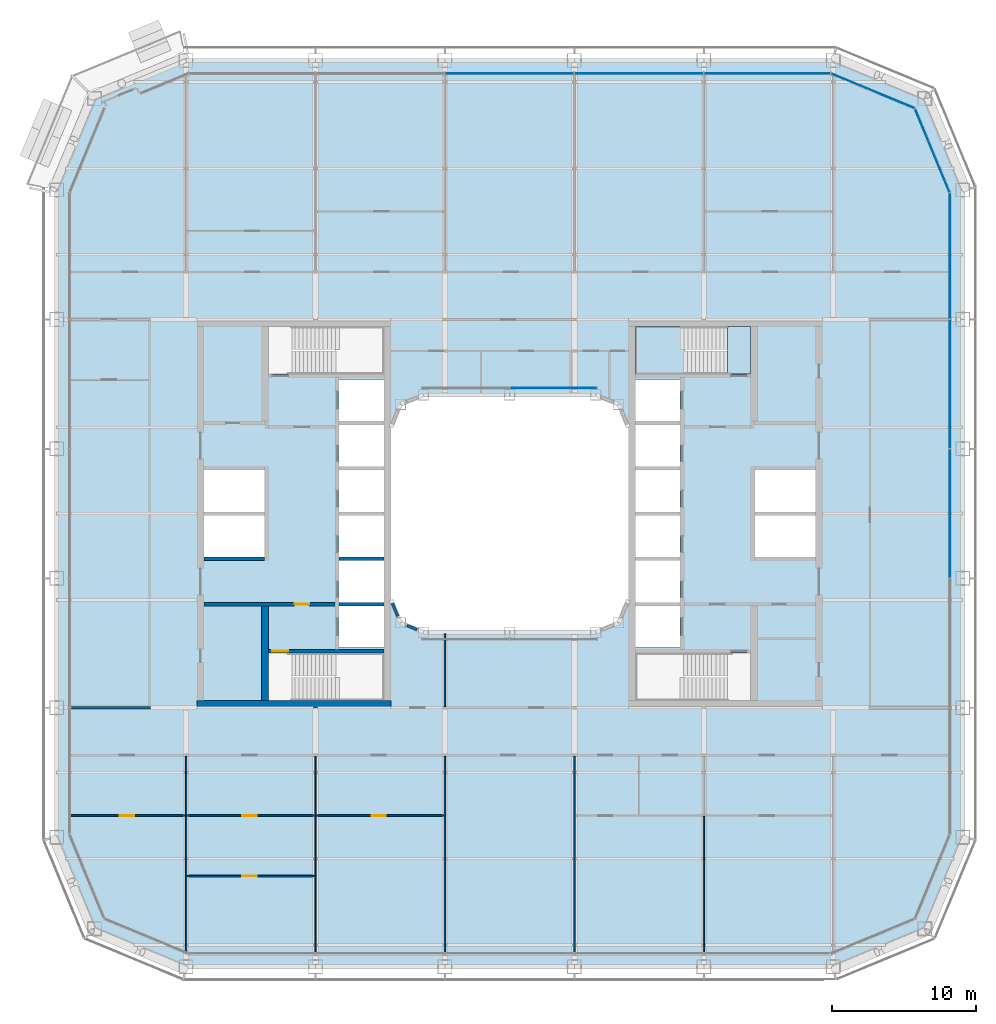
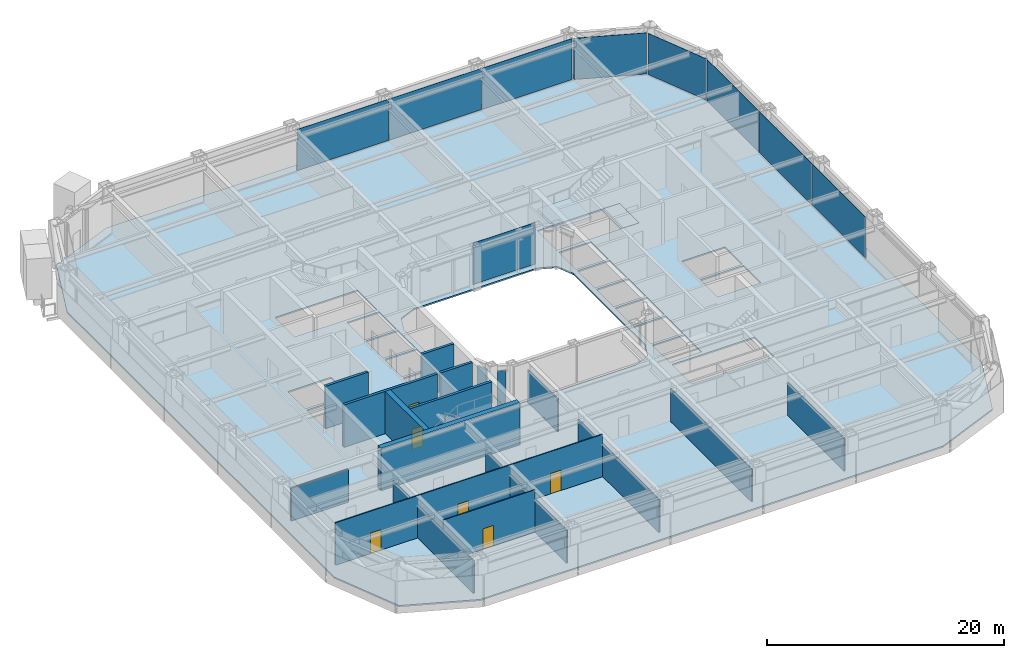
# One storey, part 12 of 28: 20 walls, 9 plates, 6 doors, 3 slabs, 6 openings, 6 elements without a shape of their own.
"""IFC4 building model written with IfcOpenShell, lengths in metres."""

from ifc_helpers import new_model, si_unit, direction, frame, frame_2d, origin, origin_2d, place, context, subcontext, project, spatial, polyline, rectangle, outline, extrude, material, layer, layer_set, type_object, element, fill, aggregate, save


model = new_model("IFC4")

# Units and contexts
model_context = context("Model", 3, precision=1e-05, world=origin(), true_north=direction((0.0, 1.0)))
body_context = subcontext(model_context, "Body", "Model", "MODEL_VIEW")
ifc_project = project(units=[si_unit("LENGTHUNIT", "METRE"), si_unit("AREAUNIT", "SQUARE_METRE"), si_unit("VOLUMEUNIT", "CUBIC_METRE"), si_unit("PLANEANGLEUNIT", "RADIAN"), si_unit("MASSUNIT", "GRAM", prefix="KILO")], contexts=[model_context])

# Site, building, storey
site_placement = place(None, origin())
site = spatial("IfcSite", under=ifc_project, at=site_placement, CompositionType="ELEMENT")
building_placement = place(site_placement, origin())
building = spatial("IfcBuilding", under=site, at=building_placement, Name="Siwar Civic Tower", CompositionType="ELEMENT")
storey_placement = place(building_placement, frame((0.0, 0.0, 85.199951171875)))
storey = spatial("IfcBuildingStorey", under=building, at=storey_placement, Name="L18", CompositionType="ELEMENT", Elevation=85.199951171875)

# Stair, slabs
ifc_material_1 = material(Name="Concrete C40/50", Category="concrete")
stair_type = type_object("IfcStairType", Name="CORE-STAIR", PredefinedType="TWO_STRAIGHT_RUN_STAIR", material=ifc_material_1)
stair_placement = place(storey_placement, origin())
stair = element("IfcStair", 1, at=stair_placement, inside=storey, type_object=stair_type, Name="Exit stair ST3", PredefinedType="TWO_STRAIGHT_RUN_STAIR")
ifc_material_2 = material(Name="Concrete C40/50", Category="concrete")
ifc_layer_1 = layer(ifc_material_2, 0.300048828125)
ifc_layer_set_1 = layer_set([ifc_layer_1], Name="Concrete C40/50")
slab_type_1 = type_object("IfcSlabType", Name="CORE-STAIR-LANDING", PredefinedType="LANDING", material=ifc_layer_set_1)
slab_1_placement = place(storey_placement, frame((0.0, 0.0, -0.300048828125)))
slab_1 = element("IfcSlab", 2, at=slab_1_placement, type_object=slab_type_1, Name="ST3 landing 1", PredefinedType="LANDING", context=body_context, shape_type="SweptSolid", body=[
    extrude(outline(polyline([(15.14990234375, 9.699951171875), (16.75, 9.699951171875), (16.75, 13.0), (15.14990234375, 13.0), (15.14990234375, 9.699951171875)])), origin(), (0.0, 0.0, 1.0), 0.300048828125),
])
slab_2_placement = place(storey_placement, frame((0.0, 0.0, 1.949951171875)))
slab_2 = element("IfcSlab", 3, at=slab_2_placement, type_object=slab_type_1, Name="ST3 landing 2", PredefinedType="LANDING", context=body_context, shape_type="SweptSolid", body=[
    extrude(outline(polyline([(8.75, 9.699951171875), (12.139892578125, 9.699951171875), (12.139892578125, 13.0), (8.75, 13.0), (8.75, 9.699951171875)])), origin(), (0.0, 0.0, 1.0), 0.300048828125),
])
aggregate(stair, [slab_1, slab_2])

# Curtain wall, plates
ifc_material_3 = material(Name="Aluminium and glass", Category="aluminium")
ifc_layer_2 = layer(ifc_material_3, 0.219970703125)
ifc_layer_set_2 = layer_set([ifc_layer_2], Name="Aluminium and glass")
curtain_wall_type_1 = type_object("IfcCurtainWallType", Name="ENV-CW-A", PredefinedType="NOTDEFINED", material=ifc_layer_set_2)
curtain_wall_1_placement = place(storey_placement, origin())
curtain_wall_1 = element("IfcCurtainWall", 4, at=curtain_wall_1_placement, inside=storey, type_object=curtain_wall_type_1, Name="Curtain wall A E", PredefinedType="NOTDEFINED")
ifc_material_4 = material(Name="Glass clear laminated", Category="glass")
ifc_layer_3 = layer(ifc_material_4, 0.035888671875)
ifc_layer_set_3 = layer_set([ifc_layer_3], Name="Glass clear laminated")
plate_type_1 = type_object("IfcPlateType", Name="ENV-PANEL-A", PredefinedType="CURTAIN_PANEL", material=ifc_layer_set_3)
plate_1_placement = place(storey_placement, frame((30.60009765625, 0.0, 0.1201171875), z_axis=(0.0, 0.0, 1.0), x_axis=(0.0, 1.0, 0.0)))
plate_1 = element("IfcPlate", 5, at=plate_1_placement, type_object=plate_type_1, Name="Curtain panel A E 3", PredefinedType="CURTAIN_PANEL", context=body_context, shape_type="SweptSolid", body=[
    extrude(rectangle(XDim=8.929931640625, YDim=0.035888671875, at=origin_2d()), origin(), (0.0, 0.0, 1.0), 4.22998046875),
])
plate_2_placement = place(storey_placement, frame((30.60009765625, 9.0, 0.1201171875), z_axis=(0.0, 0.0, 1.0), x_axis=(0.0, 1.0, 0.0)))
plate_2 = element("IfcPlate", 6, at=plate_2_placement, type_object=plate_type_1, Name="Curtain panel A E 4", PredefinedType="CURTAIN_PANEL", context=body_context, shape_type="SweptSolid", body=[
    extrude(rectangle(XDim=8.929931640625, YDim=0.035888671875, at=origin_2d()), origin(), (0.0, 0.0, 1.0), 4.22998046875),
])
plate_3_placement = place(storey_placement, frame((30.60009765625, 17.86669921875, 0.1201171875), z_axis=(0.0, 0.0, 1.0), x_axis=(0.0, 1.0, 0.0)))
plate_3 = element("IfcPlate", 7, at=plate_3_placement, type_object=plate_type_1, Name="Curtain panel A E 5", PredefinedType="CURTAIN_PANEL", context=body_context, shape_type="SweptSolid", body=[
    extrude(rectangle(XDim=8.663330078125, YDim=0.035888671875, at=origin_2d()), origin(), (0.0, 0.0, 1.0), 4.22998046875),
])
aggregate(curtain_wall_1, [plate_1, plate_2, plate_3])

curtain_wall_2_placement = place(storey_placement, origin())
curtain_wall_2 = element("IfcCurtainWall", 8, at=curtain_wall_2_placement, inside=storey, type_object=curtain_wall_type_1, Name="Curtain wall A N", PredefinedType="NOTDEFINED")
plate_4_placement = place(storey_placement, frame((17.910400390625, 30.60009765625, 0.1201171875), z_axis=(0.0, 0.0, 1.0), x_axis=(-1.0, 0.0, 0.0)))
plate_4 = element("IfcPlate", 9, at=plate_4_placement, type_object=plate_type_1, Name="Curtain panel A N 1", PredefinedType="CURTAIN_PANEL", context=body_context, shape_type="SweptSolid", body=[
    extrude(rectangle(XDim=8.7509765625, YDim=0.035888671875, at=origin_2d()), origin(), (0.0, 0.0, 1.0), 4.22998046875),
])
plate_5_placement = place(storey_placement, frame((9.0, 30.60009765625, 0.1201171875), z_axis=(0.0, 0.0, 1.0), x_axis=(-1.0, 0.0, 0.0)))
plate_5 = element("IfcPlate", 10, at=plate_5_placement, type_object=plate_type_1, Name="Curtain panel A N 2", PredefinedType="CURTAIN_PANEL", context=body_context, shape_type="SweptSolid", body=[
    extrude(rectangle(XDim=8.929931640625, YDim=0.035888671875, at=origin_2d()), origin(), (0.0, 0.0, 1.0), 4.22998046875),
])
plate_6_placement = place(storey_placement, frame((0.0, 30.60009765625, 0.1201171875), z_axis=(0.0, 0.0, 1.0), x_axis=(-1.0, 0.0, 0.0)))
plate_6 = element("IfcPlate", 11, at=plate_6_placement, type_object=plate_type_1, Name="Curtain panel A N 3", PredefinedType="CURTAIN_PANEL", context=body_context, shape_type="SweptSolid", body=[
    extrude(rectangle(XDim=8.929931640625, YDim=0.035888671875, at=origin_2d()), origin(), (0.0, 0.0, 1.0), 4.22998046875),
])
aggregate(curtain_wall_2, [plate_4, plate_5, plate_6])

# Curtain wall, plate
ifc_material_5 = material(Name="Aluminium clad insulated panel", Category="aluminium")
ifc_layer_4 = layer(ifc_material_5, 0.219970703125)
ifc_layer_set_4 = layer_set([ifc_layer_4], Name="Aluminium clad insulated panel")
curtain_wall_type_2 = type_object("IfcCurtainWallType", Name="ENV-CW-AX", PredefinedType="NOTDEFINED", material=ifc_layer_set_4)
curtain_wall_3_placement = place(storey_placement, origin())
curtain_wall_3 = element("IfcCurtainWall", 12, at=curtain_wall_3_placement, inside=storey, type_object=curtain_wall_type_2, Name="Curtain wall A NE1", PredefinedType="NOTDEFINED")
ifc_material_6 = material(Name="Aluminium clad insulated panel", Category="aluminium")
ifc_layer_5 = layer(ifc_material_6, 0.035888671875)
ifc_layer_set_5 = layer_set([ifc_layer_5], Name="Aluminium clad insulated panel")
plate_type_2 = type_object("IfcPlateType", Name="ENV-PANEL-AX", PredefinedType="CURTAIN_PANEL", material=ifc_layer_set_5)
plate_7_placement = place(storey_placement, frame((29.404296875, 25.20751953125, 0.1201171875), z_axis=(0.0, 0.0, 1.0), x_axis=(-0.382683432365, 0.923879532511, 0.0)))
plate_7 = element("IfcPlate", 13, at=plate_7_placement, type_object=plate_type_2, Name="Curtain panel A NE1 1", PredefinedType="CURTAIN_PANEL", context=body_context, shape_type="SweptSolid", body=[
    extrude(rectangle(XDim=6.178955078125, YDim=0.035888671875, at=origin_2d()), origin(), (0.0, 0.0, 1.0), 4.22998046875),
])
aggregate(curtain_wall_3, [plate_7])

curtain_wall_4_placement = place(storey_placement, origin())
curtain_wall_4 = element("IfcCurtainWall", 14, at=curtain_wall_4_placement, inside=storey, type_object=curtain_wall_type_2, Name="Curtain wall A NE2", PredefinedType="NOTDEFINED")
plate_8_placement = place(storey_placement, frame((25.28857421875, 29.370849609375, 0.1201171875), z_axis=(0.0, 0.0, 1.0), x_axis=(-0.923879532511, 0.382683432365, 0.0)))
plate_8 = element("IfcPlate", 15, at=plate_8_placement, type_object=plate_type_2, Name="Curtain panel A NE2 1", PredefinedType="CURTAIN_PANEL", context=body_context, shape_type="SweptSolid", body=[
    extrude(rectangle(XDim=6.178955078125, YDim=0.035888671875, at=origin_2d()), origin(), (0.0, 0.0, 1.0), 4.22998046875),
])
aggregate(curtain_wall_4, [plate_8])

ifc_material_7 = material(Name="Aluminium and glass", Category="aluminium")
ifc_layer_6 = layer(ifc_material_7, 0.179931640625)
ifc_layer_set_6 = layer_set([ifc_layer_6], Name="Aluminium and glass")
curtain_wall_type_3 = type_object("IfcCurtainWallType", Name="ENV-CW-W", PredefinedType="NOTDEFINED", material=ifc_layer_set_6)
curtain_wall_5_placement = place(storey_placement, origin())
curtain_wall_5 = element("IfcCurtainWall", 16, at=curtain_wall_5_placement, inside=storey, type_object=curtain_wall_type_3, Name="Curtain wall W WN", PredefinedType="NOTDEFINED")
ifc_material_8 = material(Name="Glass clear laminated", Category="glass")
ifc_layer_7 = layer(ifc_material_8, 0.031982421875)
ifc_layer_set_7 = layer_set([ifc_layer_7], Name="Glass clear laminated")
plate_type_3 = type_object("IfcPlateType", Name="ENV-PANEL-W", PredefinedType="CURTAIN_PANEL", material=ifc_layer_set_7)
plate_9_placement = place(storey_placement, frame((3.04833984375, 8.735107421875, 0.10009765625), z_axis=(0.0, 0.0, 1.0), x_axis=(-1.0, 0.0, 0.0)))
plate_9 = element("IfcPlate", 17, at=plate_9_placement, type_object=plate_type_3, Name="Curtain panel W WN 1", PredefinedType="CURTAIN_PANEL", context=body_context, shape_type="SweptSolid", body=[
    extrude(rectangle(XDim=6.036376953125, YDim=0.031982421875, at=origin_2d()), origin(), (0.0, 0.0, 1.0), 4.25),
])
aggregate(curtain_wall_5, [plate_9])

# Slab
ifc_material_9 = material(Name="Concrete C40/50", Category="concrete")
ifc_layer_8 = layer(ifc_material_9, 0.14990234375)
ifc_layer_set_8 = layer_set([ifc_layer_8], Name="Concrete C40/50")
slab_type_2 = type_object("IfcSlabType", Name="STR-FLOOR-DECK-150", PredefinedType="FLOOR", material=ifc_layer_set_8)
slab_3_placement = place(storey_placement, frame((0.0, 0.0, -0.14990234375)))
element("IfcSlab", 18, at=slab_3_placement, inside=storey, type_object=slab_type_2, Name="L18/slab/1", PredefinedType="FLOOR", context=body_context, shape_type="SweptSolid", body=[
    extrude(outline(polyline([(-22.5, -31.5), (22.5, -31.5), (28.864013671875, -28.864013671875), (31.5, -22.5), (31.5, 22.5), (28.864013671875, 28.864013671875), (22.5, 31.5), (-22.5, 31.5), (-28.864013671875, 28.864013671875), (-31.5, 22.5), (-31.5, -22.5), (-28.864013671875, -28.864013671875), (-22.5, -31.5)]), holes=[polyline([(21.25, 3.02490234375), (21.25, 0.125), (17.050048828125, 0.125), (17.050048828125, 3.02490234375), (21.25, 3.02490234375)]), polyline([(17.050048828125, -0.125), (21.25, -0.125), (21.25, -3.02490234375), (17.050048828125, -3.02490234375), (17.050048828125, -0.125)]), polyline([(16.75, 13.0), (16.75, 9.699951171875), (8.75, 9.699951171875), (8.75, 13.0), (16.75, 13.0)]), polyline([(8.75, -9.699951171875), (16.75, -9.699951171875), (16.75, -13.0), (8.75, -13.0), (8.75, -9.699951171875)]), polyline([(11.85009765625, 9.324951171875), (11.85009765625, 6.425048828125), (8.75, 6.425048828125), (8.75, 9.324951171875), (11.85009765625, 9.324951171875)]), polyline([(11.85009765625, 3.02490234375), (11.85009765625, 0.125), (8.75, 0.125), (8.75, 3.02490234375), (11.85009765625, 3.02490234375)]), polyline([(11.85009765625, -0.125), (11.85009765625, -3.02490234375), (8.75, -3.02490234375), (8.75, -0.125), (11.85009765625, -0.125)]), polyline([(11.85009765625, -3.27490234375), (11.85009765625, -6.175048828125), (8.75, -6.175048828125), (8.75, -3.27490234375), (11.85009765625, -3.27490234375)]), polyline([(8.75, 6.175048828125), (11.85009765625, 6.175048828125), (11.85009765625, 3.27490234375), (8.75, 3.27490234375), (8.75, 6.175048828125)]), polyline([(8.75, -6.425048828125), (11.85009765625, -6.425048828125), (11.85009765625, -9.324951171875), (8.75, -9.324951171875), (8.75, -6.425048828125)]), polyline([(-6.0, 8.25), (6.0, 8.25), (7.591064453125, 7.591064453125), (8.25, 6.0), (8.25, -6.0), (7.591064453125, -7.591064453125), (6.0, -8.25), (-6.0, -8.25), (-7.591064453125, -7.591064453125), (-8.25, -6.0), (-8.25, 6.0), (-7.591064453125, 7.591064453125), (-6.0, 8.25)]), polyline([(-8.75, 9.699951171875), (-16.75, 9.699951171875), (-16.75, 13.0), (-8.75, 13.0), (-8.75, 9.699951171875)]), polyline([(-8.75, 0.125), (-11.85009765625, 0.125), (-11.85009765625, 3.02490234375), (-8.75, 3.02490234375), (-8.75, 0.125)]), polyline([(-8.75, -6.175048828125), (-11.85009765625, -6.175048828125), (-11.85009765625, -3.27490234375), (-8.75, -3.27490234375), (-8.75, -6.175048828125)]), polyline([(-8.75, -9.324951171875), (-11.85009765625, -9.324951171875), (-11.85009765625, -6.425048828125), (-8.75, -6.425048828125), (-8.75, -9.324951171875)]), polyline([(-8.75, -13.0), (-16.75, -13.0), (-16.75, -9.699951171875), (-8.75, -9.699951171875), (-8.75, -13.0)]), polyline([(-11.85009765625, 6.425048828125), (-11.85009765625, 9.324951171875), (-8.75, 9.324951171875), (-8.75, 6.425048828125), (-11.85009765625, 6.425048828125)]), polyline([(-11.85009765625, 3.27490234375), (-11.85009765625, 6.175048828125), (-8.75, 6.175048828125), (-8.75, 3.27490234375), (-11.85009765625, 3.27490234375)]), polyline([(-11.85009765625, -3.02490234375), (-11.85009765625, -0.125), (-8.75, -0.125), (-8.75, -3.02490234375), (-11.85009765625, -3.02490234375)]), polyline([(-21.25, -3.02490234375), (-21.25, -0.125), (-17.050048828125, -0.125), (-17.050048828125, -3.02490234375), (-21.25, -3.02490234375)]), polyline([(-17.050048828125, 0.125), (-21.25, 0.125), (-21.25, 3.02490234375), (-17.050048828125, 3.02490234375), (-17.050048828125, 0.125)])]), origin(), (0.0, 0.0, 1.0), 0.14990234375),
])

# Wall, opening, door
ifc_material_10 = material(Name="Concrete C60/75", Category="concrete")
ifc_layer_9 = layer(ifc_material_10, 0.25)
ifc_layer_set_9 = layer_set([ifc_layer_9], Name="Concrete C60/75")
wall_type_1 = type_object("IfcWallType", Name="CORE-WALL-RC250", PredefinedType="SHEAR", material=ifc_layer_set_9)
wall_1_placement = place(storey_placement, frame((-12.14990234375, -6.300048828125, 0.0), z_axis=(0.0, 0.0, 1.0), x_axis=(-1.0, 0.0, 0.0)))
wall_1 = element("IfcWall", 19, at=wall_1_placement, inside=storey, type_object=wall_type_1, Name="Core wall W", PredefinedType="SHEAR", context=body_context, shape_type="SweptSolid", body=[
    extrude(rectangle(XDim=9.10009765625, YDim=0.25, at=frame_2d((4.550048828125, 0.0))), origin(), (0.0, 0.0, 1.0), 4.35009765625),
])
opening_1_placement = place(wall_1_placement, frame((1.800048828125, 0.0, 0.0)))
opening_1 = element("IfcOpeningElement", 20, at=opening_1_placement, cuts=wall_1, Name="Opening L18-CW02", PredefinedType="OPENING", context=body_context, shape_type="SweptSolid", body=[
    extrude(rectangle(XDim=1.0, YDim=2.10009765625, at=frame_2d((0.5, 1.050048828125))), frame((0.0, 0.135009765625, 0.0), z_axis=(0.0, -1.0, 0.0), x_axis=(1.0, 0.0, 0.0)), (0.0, 0.0, 1.0), 0.27001953125),
])
ifc_material_11 = material(Name="Steel door leaf", Category="steel")
door_type_1 = type_object("IfcDoorType", Name="CORE-DOOR-FD30S", OperationType="SINGLE_SWING_LEFT", PredefinedType="DOOR", material=ifc_material_11)
door_1_placement = place(opening_1_placement, origin())
door_1 = element("IfcDoor", 21, at=door_1_placement, inside=storey, type_object=door_type_1, Name="Service lobby door L18-CW02", OperationType="SINGLE_SWING_RIGHT", OverallHeight=2.10009765625, OverallWidth=1.0, PredefinedType="DOOR", context=body_context, shape_type="SweptSolid", body=[
    extrude(rectangle(XDim=1.0, YDim=2.10009765625, at=frame_2d((0.5, 1.050048828125))), frame((0.0, 0.02490234375, 0.0), z_axis=(0.0, -1.0, 0.0), x_axis=(1.0, 0.0, 0.0)), (0.0, 0.0, 1.0), 0.050048828125),
])
fill(opening_1, door_1)

# Walls
wall_2_placement = place(storey_placement, frame((-17.050048828125, -3.14990234375, 0.0), z_axis=(0.0, 0.0, 1.0), x_axis=(-1.0, 0.0, 0.0)))
element("IfcWall", 22, at=wall_2_placement, inside=storey, type_object=wall_type_1, Name="Core wall W", PredefinedType="SHEAR", context=body_context, shape_type="SweptSolid", body=[
    extrude(rectangle(XDim=4.199951171875, YDim=0.25, at=frame_2d((2.10009765625, 0.0))), origin(), (0.0, 0.0, 1.0), 4.35009765625),
])
for number, where, z_axis, x_axis, name in (
    (23, (-8.75, -3.14990234375, 0.0), (0.0, 0.0, 1.0), (-1.0, 0.0, 0.0), "Core wall W"),
    (24, (-8.75, -6.300048828125, 0.0), (0.0, 0.0, 1.0), (-1.0, 0.0, 0.0), "Core wall W"),
):
    element("IfcWall", number, at=place(storey_placement, frame(where, z_axis=z_axis, x_axis=x_axis)), inside=storey, type_object=wall_type_1, Name=name, PredefinedType="SHEAR", context=body_context, shape_type="SweptSolid", body=[
        extrude(rectangle(XDim=3.10009765625, YDim=0.25, at=frame_2d((1.550048828125, 0.0))), origin(), (0.0, 0.0, 1.0), 4.35009765625),
    ])

# Wall, opening, door
wall_3_placement = place(storey_placement, frame((-8.75, -9.574951171875, 0.0), z_axis=(0.0, 0.0, 1.0), x_axis=(-1.0, 0.0, 0.0)))
wall_3 = element("IfcWall", 25, at=wall_3_placement, inside=storey, type_object=wall_type_1, Name="Core wall W", PredefinedType="SHEAR", context=body_context, shape_type="SweptSolid", body=[
    extrude(rectangle(XDim=8.0, YDim=0.25, at=frame_2d((4.0, 0.0))), origin(), (0.0, 0.0, 1.0), 4.35009765625),
])
opening_2_placement = place(wall_3_placement, frame((6.64990234375, 0.0, 0.0)))
opening_2 = element("IfcOpeningElement", 26, at=opening_2_placement, cuts=wall_3, Name="Opening L18-CW04", PredefinedType="OPENING", context=body_context, shape_type="SweptSolid", body=[
    extrude(rectangle(XDim=1.10009765625, YDim=2.10009765625, at=frame_2d((0.550048828125, 1.050048828125))), frame((0.0, 0.135009765625, 0.0), z_axis=(0.0, -1.0, 0.0), x_axis=(1.0, 0.0, 0.0)), (0.0, 0.0, 1.0), 0.27001953125),
])
ifc_material_12 = material(Name="Steel door leaf", Category="steel")
door_type_2 = type_object("IfcDoorType", Name="CORE-DOOR-FD60S", OperationType="SINGLE_SWING_LEFT", PredefinedType="DOOR", material=ifc_material_12)
door_2_placement = place(opening_2_placement, origin())
door_2 = element("IfcDoor", 27, at=door_2_placement, inside=storey, type_object=door_type_2, Name="Stair door L18-CW04", OperationType="SINGLE_SWING_LEFT", OverallHeight=2.10009765625, OverallWidth=1.10009765625, PredefinedType="DOOR", context=body_context, shape_type="SweptSolid", body=[
    extrude(rectangle(XDim=1.10009765625, YDim=2.10009765625, at=frame_2d((0.550048828125, 1.050048828125))), frame((0.0, 0.02490234375, 0.0), z_axis=(0.0, -1.0, 0.0), x_axis=(1.0, 0.0, 0.0)), (0.0, 0.0, 1.0), 0.050048828125),
])
fill(opening_2, door_2)

# Walls
ifc_material_13 = material(Name="Concrete C60/75", Category="concrete")
ifc_layer_10 = layer(ifc_material_13, 0.5)
ifc_layer_set_10 = layer_set([ifc_layer_10], Name="Concrete C60/75")
wall_type_2 = type_object("IfcWallType", Name="CORE-WALL-RC500", PredefinedType="SHEAR", material=ifc_layer_set_10)
wall_4_placement = place(storey_placement, frame((-17.0, -13.0, 0.0), z_axis=(0.0, 0.0, 1.0), x_axis=(0.0, 1.0, 0.0)))
element("IfcWall", 28, at=wall_4_placement, inside=storey, type_object=wall_type_2, Name="Core wall W", PredefinedType="SHEAR", context=body_context, shape_type="SweptSolid", body=[
    extrude(rectangle(XDim=6.574951171875, YDim=0.5, at=frame_2d((3.28759765625, 0.0))), origin(), (0.0, 0.0, 1.0), 4.35009765625),
])
wall_5_placement = place(storey_placement, frame((-8.25, -13.25, 0.0), z_axis=(0.0, 0.0, 1.0), x_axis=(-1.0, 0.0, 0.0)))
element("IfcWall", 29, at=wall_5_placement, inside=storey, type_object=wall_type_2, Name="Core wall W", PredefinedType="SHEAR", context=body_context, shape_type="SweptSolid", body=[
    extrude(rectangle(XDim=13.5, YDim=0.5, at=frame_2d((6.75, 0.0))), origin(), (0.0, 0.0, 1.0), 4.35009765625),
])
ifc_material_14 = material(Name="Gypsum board on steel studs", Category="steel")
ifc_layer_11 = layer(ifc_material_14, 0.14990234375)
ifc_layer_set_11 = layer_set([ifc_layer_11], Name="Gypsum board on steel studs")
wall_type_3 = type_object("IfcWallType", Name="CORRIDOR PARTITION 150 EI 30", PredefinedType="PARTITIONING", material=ifc_layer_set_11)
wall_6_placement = place(storey_placement, frame((-30.510009765625, -13.5, 0.0), z_axis=(0.0, 0.0, 1.0), x_axis=(1.0, 0.0, 0.0)))
element("IfcWall", 30, at=wall_6_placement, inside=storey, type_object=wall_type_3, Name="L18/wall/P05", PredefinedType="PARTITIONING", context=body_context, shape_type="SweptSolid", body=[
    extrude(rectangle(XDim=5.534912109375, YDim=0.14990234375, at=frame_2d((2.767578125, 0.0))), origin(), (0.0, 0.0, 1.0), 3.35009765625),
])
ifc_material_15 = material(Name="Aluminium clad insulated panel", Category="aluminium")
ifc_layer_12 = layer(ifc_material_15, 0.199951171875)
ifc_layer_set_12 = layer_set([ifc_layer_12], Name="Aluminium clad insulated panel")
wall_type_4 = type_object("IfcWallType", Name="ENV-WALL-WELL", PredefinedType="STANDARD", material=ifc_layer_set_12)
wall_7_placement = place(storey_placement, frame((-8.154296875, -6.23095703125, 0.0), z_axis=(0.0, 0.0, 1.0), x_axis=(0.382549378284, -0.923935048136, 0.0)))
element("IfcWall", 31, at=wall_7_placement, inside=storey, type_object=wall_type_4, Name="Light well corner wall SW1", PredefinedType="STANDARD", context=body_context, shape_type="SweptSolid", body=[
    extrude(rectangle(XDim=0.982177734375, YDim=0.199951171875, at=frame_2d((0.4912109375, 0.0))), origin(), (0.0, 0.0, 1.0), 3.72998046875),
])
wall_8_placement = place(storey_placement, frame((-7.138427734375, -7.778564453125, 0.0), z_axis=(0.0, 0.0, 1.0), x_axis=(0.923940677943, -0.382535780864, 0.0)))
element("IfcWall", 32, at=wall_8_placement, inside=storey, type_object=wall_type_4, Name="Light well corner wall SW2", PredefinedType="STANDARD", context=body_context, shape_type="SweptSolid", body=[
    extrude(rectangle(XDim=0.7421875, YDim=0.199951171875, at=frame_2d((0.37109375, 0.0))), origin(), (0.0, 0.0, 1.0), 3.72998046875),
])

# Wall, opening, door
ifc_material_16 = material(Name="Gypsum board on steel studs", Category="steel")
ifc_layer_13 = layer(ifc_material_16, 0.10009765625)
ifc_layer_set_13 = layer_set([ifc_layer_13], Name="Gypsum board on steel studs")
wall_type_5 = type_object("IfcWallType", Name="PARTITION 100 GYPSUM", PredefinedType="PARTITIONING", material=ifc_layer_set_13)
wall_9_placement = place(storey_placement, frame((-22.449951171875, -25.199951171875, 0.0), z_axis=(0.0, 0.0, 1.0), x_axis=(1.0, 0.0, 0.0)))
wall_9 = element("IfcWall", 33, at=wall_9_placement, inside=storey, type_object=wall_type_5, Name="L18/wall/P01", PredefinedType="PARTITIONING", context=body_context, shape_type="SweptSolid", body=[
    extrude(rectangle(XDim=8.89990234375, YDim=0.10009765625, at=frame_2d((4.449951171875, 0.0))), origin(), (0.0, 0.0, 1.0), 4.35009765625),
])
opening_3_placement = place(wall_9_placement, frame((3.85009765625, 0.0, 0.0)))
opening_3 = element("IfcOpeningElement", 34, at=opening_3_placement, cuts=wall_9, Name="Opening D2", PredefinedType="OPENING", context=body_context, shape_type="SweptSolid", body=[
    extrude(rectangle(XDim=1.0, YDim=2.10009765625, at=frame_2d((0.5, 1.050048828125))), frame((0.0, 0.06005859375, 0.0), z_axis=(0.0, -1.0, 0.0), x_axis=(1.0, 0.0, 0.0)), (0.0, 0.0, 1.0), 0.1201171875),
])
ifc_material_17 = material(Name="Timber, painted", Category="wood")
door_type_3 = type_object("IfcDoorType", Name="DOOR 1000 X 2100", OperationType="SINGLE_SWING_LEFT", PredefinedType="DOOR", material=ifc_material_17)
door_3_placement = place(opening_3_placement, origin())
door_3 = element("IfcDoor", 35, at=door_3_placement, inside=storey, type_object=door_type_3, Name="L18-D11", OperationType="SINGLE_SWING_LEFT", OverallHeight=2.10009765625, OverallWidth=1.0, PredefinedType="DOOR", context=body_context, shape_type="SweptSolid", body=[
    extrude(rectangle(XDim=1.0, YDim=2.10009765625, at=frame_2d((0.5, 1.050048828125))), frame((0.0, 0.02490234375, 0.0), z_axis=(0.0, -1.0, 0.0), x_axis=(1.0, 0.0, 0.0)), (0.0, 0.0, 1.0), 0.050048828125),
])
fill(opening_3, door_3)

# Wall, openings, doors
wall_10_placement = place(storey_placement, frame((-30.510009765625, -21.0, 0.0), z_axis=(0.0, 0.0, 1.0), x_axis=(1.0, 0.0, 0.0)))
wall_10 = element("IfcWall", 36, at=wall_10_placement, inside=storey, type_object=wall_type_5, Name="L18/wall/P02", PredefinedType="PARTITIONING", context=body_context, shape_type="SweptSolid", body=[
    extrude(rectangle(XDim=25.9599609375, YDim=0.10009765625, at=frame_2d((12.97998046875, 0.0))), origin(), (0.0, 0.0, 1.0), 4.35009765625),
])
opening_4_placement = place(wall_10_placement, frame((11.909912109375, 0.0, 0.0)))
opening_4 = element("IfcOpeningElement", 37, at=opening_4_placement, cuts=wall_10, Name="Opening D2", PredefinedType="OPENING", context=body_context, shape_type="SweptSolid", body=[
    extrude(rectangle(XDim=1.0, YDim=2.10009765625, at=frame_2d((0.5, 1.050048828125))), frame((0.0, 0.06005859375, 0.0), z_axis=(0.0, -1.0, 0.0), x_axis=(1.0, 0.0, 0.0)), (0.0, 0.0, 1.0), 0.1201171875),
])
opening_5_placement = place(wall_10_placement, frame((20.909912109375, 0.0, 0.0)))
opening_5 = element("IfcOpeningElement", 38, at=opening_5_placement, cuts=wall_10, Name="Opening D2", PredefinedType="OPENING", context=body_context, shape_type="SweptSolid", body=[
    extrude(rectangle(XDim=1.0, YDim=2.10009765625, at=frame_2d((0.5, 1.050048828125))), frame((0.0, 0.06005859375, 0.0), z_axis=(0.0, -1.0, 0.0), x_axis=(1.0, 0.0, 0.0)), (0.0, 0.0, 1.0), 0.1201171875),
])
opening_6_placement = place(wall_10_placement, frame((3.39990234375, 0.0, 0.0)))
opening_6 = element("IfcOpeningElement", 39, at=opening_6_placement, cuts=wall_10, Name="Opening D2", PredefinedType="OPENING", context=body_context, shape_type="SweptSolid", body=[
    extrude(rectangle(XDim=1.0, YDim=2.10009765625, at=frame_2d((0.5, 1.050048828125))), frame((0.0, 0.06005859375, 0.0), z_axis=(0.0, -1.0, 0.0), x_axis=(1.0, 0.0, 0.0)), (0.0, 0.0, 1.0), 0.1201171875),
])
door_4_placement = place(opening_4_placement, origin())
door_4 = element("IfcDoor", 40, at=door_4_placement, inside=storey, type_object=door_type_3, Name="L18-D10", OperationType="SINGLE_SWING_RIGHT", OverallHeight=2.10009765625, OverallWidth=1.0, PredefinedType="DOOR", context=body_context, shape_type="SweptSolid", body=[
    extrude(rectangle(XDim=1.0, YDim=2.10009765625, at=frame_2d((0.5, 1.050048828125))), frame((0.0, 0.02490234375, 0.0), z_axis=(0.0, -1.0, 0.0), x_axis=(1.0, 0.0, 0.0)), (0.0, 0.0, 1.0), 0.050048828125),
])
fill(opening_4, door_4)
door_5_placement = place(opening_5_placement, origin())
door_5 = element("IfcDoor", 41, at=door_5_placement, inside=storey, type_object=door_type_3, Name="L18-D13", OperationType="SINGLE_SWING_LEFT", OverallHeight=2.10009765625, OverallWidth=1.0, PredefinedType="DOOR", context=body_context, shape_type="SweptSolid", body=[
    extrude(rectangle(XDim=1.0, YDim=2.10009765625, at=frame_2d((0.5, 1.050048828125))), frame((0.0, 0.02490234375, 0.0), z_axis=(0.0, -1.0, 0.0), x_axis=(1.0, 0.0, 0.0)), (0.0, 0.0, 1.0), 0.050048828125),
])
fill(opening_5, door_5)
door_6_placement = place(opening_6_placement, origin())
door_6 = element("IfcDoor", 42, at=door_6_placement, inside=storey, type_object=door_type_3, Name="L18-D23", OperationType="SINGLE_SWING_LEFT", OverallHeight=2.10009765625, OverallWidth=1.0, PredefinedType="DOOR", context=body_context, shape_type="SweptSolid", body=[
    extrude(rectangle(XDim=1.0, YDim=2.10009765625, at=frame_2d((0.5, 1.050048828125))), frame((0.0, 0.02490234375, 0.0), z_axis=(0.0, -1.0, 0.0), x_axis=(1.0, 0.0, 0.0)), (0.0, 0.0, 1.0), 0.050048828125),
])
fill(opening_6, door_6)

# Walls
wall_11_placement = place(storey_placement, frame((-22.5, -30.427978515625, 0.0), z_axis=(0.0, 0.0, 1.0), x_axis=(0.0, 1.0, 0.0)))
element("IfcWall", 43, at=wall_11_placement, inside=storey, type_object=wall_type_5, Name="L18/wall/P19", PredefinedType="PARTITIONING", context=body_context, shape_type="SweptSolid", body=[
    extrude(rectangle(XDim=9.3779296875, YDim=0.10009765625, at=frame_2d((4.68896484375, 0.0))), origin(), (0.0, 0.0, 1.0), 3.35009765625),
])
wall_12_placement = place(storey_placement, frame((-22.5, -20.949951171875, 0.0), z_axis=(0.0, 0.0, 1.0), x_axis=(0.0, 1.0, 0.0)))
element("IfcWall", 44, at=wall_12_placement, inside=storey, type_object=wall_type_5, Name="L18/wall/P20", PredefinedType="PARTITIONING", context=body_context, shape_type="SweptSolid", body=[
    extrude(rectangle(XDim=4.074951171875, YDim=0.10009765625, at=frame_2d((2.03759765625, 0.0))), origin(), (0.0, 0.0, 1.0), 3.35009765625),
])
wall_13_placement = place(storey_placement, frame((-13.5, -30.510009765625, 0.0), z_axis=(0.0, 0.0, 1.0), x_axis=(0.0, 1.0, 0.0)))
element("IfcWall", 45, at=wall_13_placement, inside=storey, type_object=wall_type_5, Name="L18/wall/P22", PredefinedType="PARTITIONING", context=body_context, shape_type="SweptSolid", body=[
    extrude(rectangle(XDim=9.4599609375, YDim=0.10009765625, at=frame_2d((4.72998046875, 0.0))), origin(), (0.0, 0.0, 1.0), 3.35009765625),
])
wall_14_placement = place(storey_placement, frame((-13.5, -20.949951171875, 0.0), z_axis=(0.0, 0.0, 1.0), x_axis=(0.0, 1.0, 0.0)))
element("IfcWall", 46, at=wall_14_placement, inside=storey, type_object=wall_type_5, Name="L18/wall/P23", PredefinedType="PARTITIONING", context=body_context, shape_type="SweptSolid", body=[
    extrude(rectangle(XDim=4.074951171875, YDim=0.10009765625, at=frame_2d((2.03759765625, 0.0))), origin(), (0.0, 0.0, 1.0), 3.35009765625),
])
wall_15_placement = place(storey_placement, frame((-4.5, -30.510009765625, 0.0), z_axis=(0.0, 0.0, 1.0), x_axis=(0.0, 1.0, 0.0)))
element("IfcWall", 47, at=wall_15_placement, inside=storey, type_object=wall_type_5, Name="L18/wall/P25", PredefinedType="PARTITIONING", context=body_context, shape_type="SweptSolid", body=[
    extrude(rectangle(XDim=13.635009765625, YDim=0.10009765625, at=frame_2d((6.8173828125, 0.0))), origin(), (0.0, 0.0, 1.0), 3.35009765625),
])
wall_16_placement = place(storey_placement, frame((-4.5, -13.425048828125, 0.0), z_axis=(0.0, 0.0, 1.0), x_axis=(0.0, 1.0, 0.0)))
element("IfcWall", 48, at=wall_16_placement, inside=storey, type_object=wall_type_5, Name="L18/wall/P26", PredefinedType="PARTITIONING", context=body_context, shape_type="SweptSolid", body=[
    extrude(rectangle(XDim=5.054931640625, YDim=0.10009765625, at=frame_2d((2.52734375, 0.0))), origin(), (0.0, 0.0, 1.0), 3.35009765625),
])
wall_17_placement = place(storey_placement, frame((4.5, -30.510009765625, 0.0), z_axis=(0.0, 0.0, 1.0), x_axis=(0.0, 1.0, 0.0)))
element("IfcWall", 49, at=wall_17_placement, inside=storey, type_object=wall_type_5, Name="L18/wall/P30", PredefinedType="PARTITIONING", context=body_context, shape_type="SweptSolid", body=[
    extrude(rectangle(XDim=13.635009765625, YDim=0.10009765625, at=frame_2d((6.8173828125, 0.0))), origin(), (0.0, 0.0, 1.0), 3.35009765625),
])
wall_18_placement = place(storey_placement, frame((13.5, -30.510009765625, 0.0), z_axis=(0.0, 0.0, 1.0), x_axis=(0.0, 1.0, 0.0)))
element("IfcWall", 50, at=wall_18_placement, inside=storey, type_object=wall_type_5, Name="L18/wall/P34", PredefinedType="PARTITIONING", context=body_context, shape_type="SweptSolid", body=[
    extrude(rectangle(XDim=9.4599609375, YDim=0.10009765625, at=frame_2d((4.72998046875, 0.0))), origin(), (0.0, 0.0, 1.0), 3.35009765625),
])

save(model, "model.ifc")
